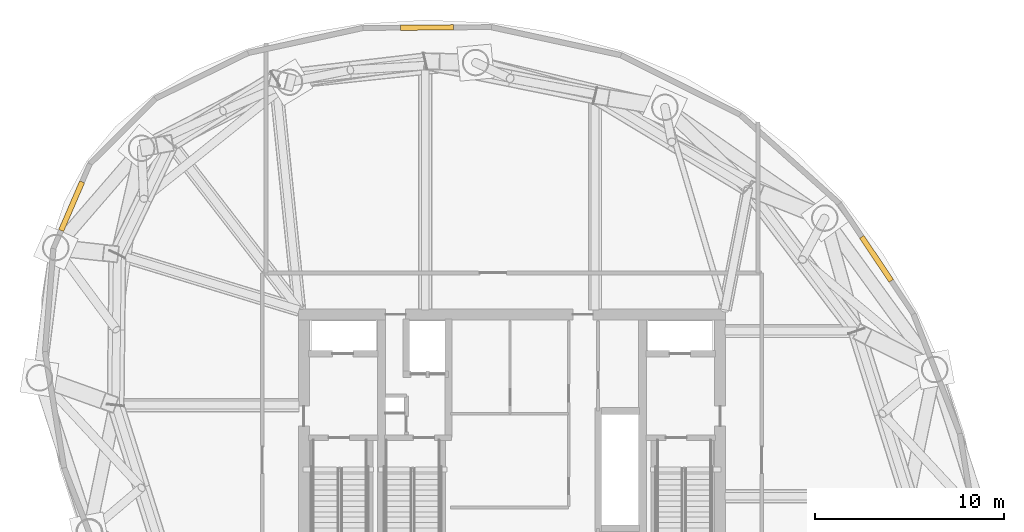
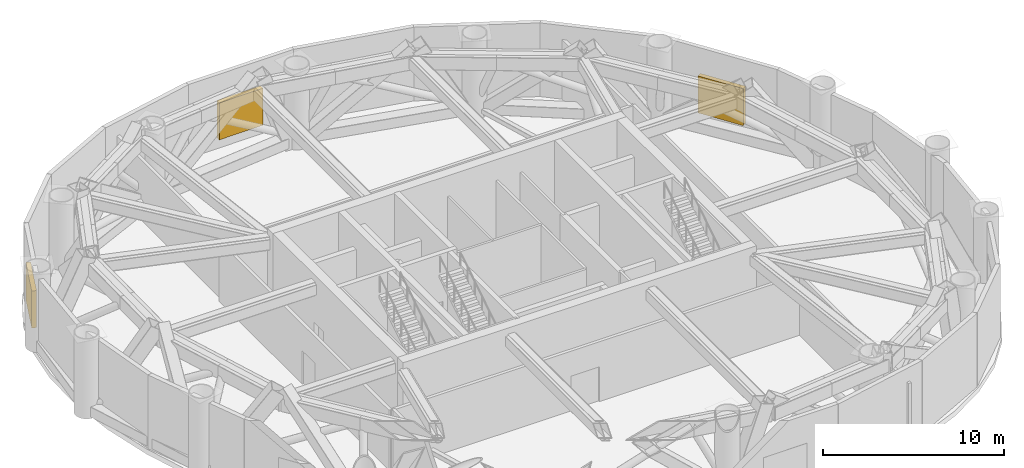
# One storey, part 10 of 10: 3 shading devices.
"""IFC4 building model written with IfcOpenShell, lengths in metres."""

from ifc_helpers import new_model, si_unit, direction, frame, origin, origin_2d, place, context, subcontext, project, spatial, rectangle, extrude, material, type_object, element, save


model = new_model("IFC4")

# Units and contexts
model_context = context("Model", 3, precision=1e-05, world=origin(), true_north=direction((0.0, 1.0)))
body_context = subcontext(model_context, "Body", "Model", "MODEL_VIEW")
ifc_project = project(units=[si_unit("LENGTHUNIT", "METRE"), si_unit("AREAUNIT", "SQUARE_METRE"), si_unit("VOLUMEUNIT", "CUBIC_METRE"), si_unit("PLANEANGLEUNIT", "RADIAN"), si_unit("MASSUNIT", "GRAM", prefix="KILO")], contexts=[model_context])

# Site, building, storey
site_placement = place(None, origin())
site = spatial("IfcSite", under=ifc_project, at=site_placement, CompositionType="ELEMENT")
building_placement = place(site_placement, origin())
building = spatial("IfcBuilding", under=site, at=building_placement, Name="Bramvorn Convention Spire", CompositionType="ELEMENT")
storey_placement = place(building_placement, frame((0.0, 0.0, 165.800048828125)))
storey = spatial("IfcBuildingStorey", under=building, at=storey_placement, Name="L42", CompositionType="ELEMENT", Elevation=165.800048828125)

# Shading devices
ifc_material = material(Name="Acoustic Storm-Proof Anodised Bronze Aluminium Louvre", Category="aluminium")
shading_device_type = type_object("IfcShadingDeviceType", Name="SHD-LOUVRE-PLANT", PredefinedType="JALOUSIE", material=ifc_material)
for number, where, z_axis, x_axis, name in (
    (1, (57.26904296875, 36.14208984375, 0.550048828125), (0.0, 0.0, 1.0), (0.556438549752, -0.830888765329, 0.0), "L42 plant intake/exhaust acoustic louvre 05"),
    (2, (33.5146484375, 48.37060546875, 0.550048828125), (0.0, 0.0, 1.0), (0.999981020389, 0.006161076395, 0.0), "L42 plant intake/exhaust acoustic louvre 09"),
    (3, (14.7197265625, 38.92626953125, 0.550048828125), (0.0, 0.0, 1.0), (0.396078906709, 0.918216477559, 0.0), "L42 plant intake/exhaust acoustic louvre 13"),
):
    element("IfcShadingDevice", number, at=place(storey_placement, frame(where, z_axis=z_axis, x_axis=x_axis)), inside=storey, type_object=shading_device_type, Name=name, PredefinedType="JALOUSIE", context=body_context, shape_type="SweptSolid", body=[
        extrude(rectangle(XDim=2.800048828125, YDim=0.280029296875, at=origin_2d()), origin(), (0.0, 0.0, 1.0), 2.5),
    ])

save(model, "model.ifc")
